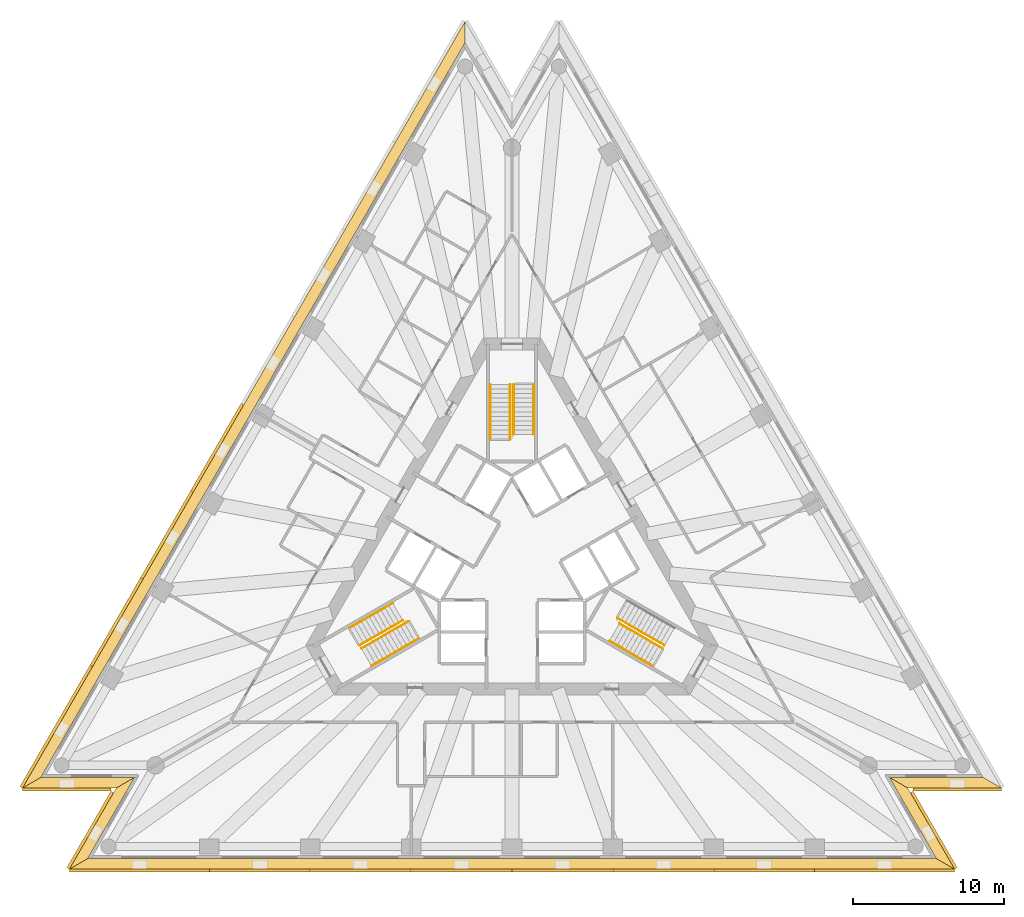
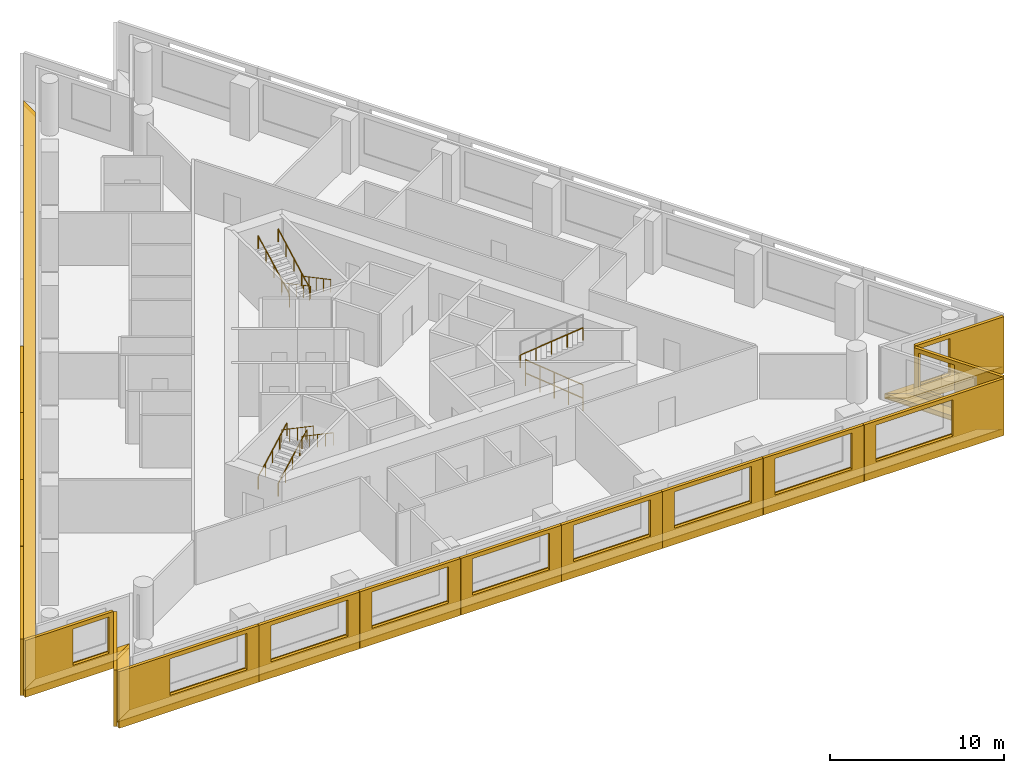
# One storey, part 8 of 9: 22 shading devices, 11 railings, 6 coverings, 3 elements without a shape of their own.
"""IFC4 building model written with IfcOpenShell, lengths in metres."""

from ifc_helpers import new_model, si_unit, direction, frame, origin, origin_2d, place, context, subcontext, project, spatial, polyline, circle, outline, extrude, material, layer, layer_set, layer_usage, type_object, element, aggregate, save


model = new_model("IFC4")

# Units and contexts
model_context = context("Model", 3, precision=1e-05, world=origin(), true_north=direction((0.0, 1.0)))
body_context = subcontext(model_context, "Body", "Model", "MODEL_VIEW")
ifc_project = project(units=[si_unit("LENGTHUNIT", "METRE"), si_unit("AREAUNIT", "SQUARE_METRE"), si_unit("VOLUMEUNIT", "CUBIC_METRE"), si_unit("PLANEANGLEUNIT", "RADIAN"), si_unit("MASSUNIT", "GRAM", prefix="KILO")], contexts=[model_context])

# Site, building, storey
site_placement = place(None, origin())
site = spatial("IfcSite", under=ifc_project, at=site_placement, CompositionType="ELEMENT")
building_placement = place(site_placement, origin())
building = spatial("IfcBuilding", under=site, at=building_placement, Name="Triada Interchange Tower", CompositionType="ELEMENT")
storey_placement = place(building_placement, frame((0.0, 0.0, 144.300048828125)))
storey = spatial("IfcBuildingStorey", under=building, at=storey_placement, Name="L33", CompositionType="ELEMENT", Elevation=144.300048828125)

# Coverings
ifc_material_1 = material(Name="Mineral fire-stop board")
ifc_layer_1 = layer(ifc_material_1, 0.0400390625, Name="Mineral fire-stop board")
ifc_material_2 = material(Name="Intumescent sealant")
ifc_layer_2 = layer(ifc_material_2, 0.010009765625, Name="Intumescent seal")
ifc_layer_set_1 = layer_set([ifc_layer_1, ifc_layer_2], Name="Cavity fire stop")
ifc_layer_usage = layer_usage(ifc_layer_set_1, "AXIS3", "POSITIVE", 0.0)
covering_type = type_object("IfcCoveringType", Name="Cavity fire stop", PredefinedType="INSULATION", material=ifc_layer_set_1)
covering_1_placement = place(storey_placement, origin())
element("IfcCovering", 1, at=covering_1_placement, inside=storey, type_object=covering_type, material=ifc_layer_usage, Name="Cavity fire stop L33 NW", PredefinedType="INSULATION", context=body_context, shape_type="SweptSolid", body=[
    extrude(outline(polyline([(-3.10791015625, 34.2939453125), (-3.10791015625, 35.694091796875), (-32.466064453125, -15.155029296875), (-31.25390625, -14.455078125), (-3.10791015625, 34.2939453125)])), origin(), (0.0, 0.0, 1.0), 0.050048828125),
])
covering_2_placement = place(storey_placement, origin())
element("IfcCovering", 2, at=covering_2_placement, inside=storey, type_object=covering_type, material=ifc_layer_usage, Name="Cavity fire stop L33 SW-1", PredefinedType="INSULATION", context=body_context, shape_type="SweptSolid", body=[
    extrude(outline(polyline([(-31.25390625, -14.455078125), (-32.466064453125, -15.155029296875), (-26.25, -15.155029296875), (-25.0380859375, -14.455078125), (-31.25390625, -14.455078125)])), origin(), (0.0, 0.0, 1.0), 0.050048828125),
])
covering_3_placement = place(storey_placement, origin())
element("IfcCovering", 3, at=covering_3_placement, inside=storey, type_object=covering_type, material=ifc_layer_usage, Name="Cavity fire stop L33 SW-2", PredefinedType="INSULATION", context=body_context, shape_type="SweptSolid", body=[
    extrude(outline(polyline([(-25.0380859375, -14.455078125), (-26.25, -15.155029296875), (-29.35791015625, -20.5390625), (-28.14599609375, -19.839111328125), (-25.0380859375, -14.455078125)])), origin(), (0.0, 0.0, 1.0), 0.050048828125),
])
covering_4_placement = place(storey_placement, origin())
element("IfcCovering", 4, at=covering_4_placement, inside=storey, type_object=covering_type, material=ifc_layer_usage, Name="Cavity fire stop L33 S", PredefinedType="INSULATION", context=body_context, shape_type="SweptSolid", body=[
    extrude(outline(polyline([(-28.14599609375, -19.839111328125), (-29.35791015625, -20.5390625), (29.35791015625, -20.5390625), (28.14599609375, -19.839111328125), (-28.14599609375, -19.839111328125)])), origin(), (0.0, 0.0, 1.0), 0.050048828125),
])
covering_5_placement = place(storey_placement, origin())
element("IfcCovering", 5, at=covering_5_placement, inside=storey, type_object=covering_type, material=ifc_layer_usage, Name="Cavity fire stop L33 SE-1", PredefinedType="INSULATION", context=body_context, shape_type="SweptSolid", body=[
    extrude(outline(polyline([(28.14599609375, -19.839111328125), (29.35791015625, -20.5390625), (26.25, -15.155029296875), (25.0380859375, -14.455078125), (28.14599609375, -19.839111328125)])), origin(), (0.0, 0.0, 1.0), 0.050048828125),
])
covering_6_placement = place(storey_placement, origin())
element("IfcCovering", 6, at=covering_6_placement, inside=storey, type_object=covering_type, material=ifc_layer_usage, Name="Cavity fire stop L33 SE-2", PredefinedType="INSULATION", context=body_context, shape_type="SweptSolid", body=[
    extrude(outline(polyline([(25.0380859375, -14.455078125), (26.25, -15.155029296875), (32.466064453125, -15.155029296875), (31.25390625, -14.455078125), (25.0380859375, -14.455078125)])), origin(), (0.0, 0.0, 1.0), 0.050048828125),
])

# Shading devices
ifc_material_3 = material(Name="Aluminium louvre", Category="aluminium")
shading_device_type_1 = type_object("IfcShadingDeviceType", Name="Cavity louvre grille", PredefinedType="JALOUSIE", material=ifc_material_3)
shading_device_1_placement = place(storey_placement, frame((0.0, 0.0, 0.050048828125)))
element("IfcShadingDevice", 7, at=shading_device_1_placement, inside=storey, type_object=shading_device_type_1, Name="Cavity louvre grille L33 NW", PredefinedType="JALOUSIE", context=body_context, shape_type="SweptSolid", body=[
    extrude(outline(polyline([(-3.10791015625, 34.2939453125), (-3.10791015625, 35.694091796875), (-32.466064453125, -15.155029296875), (-31.25390625, -14.455078125), (-3.10791015625, 34.2939453125)])), origin(), (0.0, 0.0, 1.0), 0.2998046875),
])
shading_device_2_placement = place(storey_placement, frame((0.0, 0.0, 0.050048828125)))
element("IfcShadingDevice", 8, at=shading_device_2_placement, inside=storey, type_object=shading_device_type_1, Name="Cavity louvre grille L33 SW-1", PredefinedType="JALOUSIE", context=body_context, shape_type="SweptSolid", body=[
    extrude(outline(polyline([(-31.25390625, -14.455078125), (-32.466064453125, -15.155029296875), (-26.25, -15.155029296875), (-25.0380859375, -14.455078125), (-31.25390625, -14.455078125)])), origin(), (0.0, 0.0, 1.0), 0.2998046875),
])
shading_device_3_placement = place(storey_placement, frame((0.0, 0.0, 0.050048828125)))
element("IfcShadingDevice", 9, at=shading_device_3_placement, inside=storey, type_object=shading_device_type_1, Name="Cavity louvre grille L33 SW-2", PredefinedType="JALOUSIE", context=body_context, shape_type="SweptSolid", body=[
    extrude(outline(polyline([(-25.0380859375, -14.455078125), (-26.25, -15.155029296875), (-29.35791015625, -20.5390625), (-28.14599609375, -19.839111328125), (-25.0380859375, -14.455078125)])), origin(), (0.0, 0.0, 1.0), 0.2998046875),
])
shading_device_4_placement = place(storey_placement, frame((0.0, 0.0, 0.050048828125)))
element("IfcShadingDevice", 10, at=shading_device_4_placement, inside=storey, type_object=shading_device_type_1, Name="Cavity louvre grille L33 S", PredefinedType="JALOUSIE", context=body_context, shape_type="SweptSolid", body=[
    extrude(outline(polyline([(-28.14599609375, -19.839111328125), (-29.35791015625, -20.5390625), (29.35791015625, -20.5390625), (28.14599609375, -19.839111328125), (-28.14599609375, -19.839111328125)])), origin(), (0.0, 0.0, 1.0), 0.2998046875),
])
shading_device_5_placement = place(storey_placement, frame((0.0, 0.0, 0.050048828125)))
element("IfcShadingDevice", 11, at=shading_device_5_placement, inside=storey, type_object=shading_device_type_1, Name="Cavity louvre grille L33 SE-1", PredefinedType="JALOUSIE", context=body_context, shape_type="SweptSolid", body=[
    extrude(outline(polyline([(28.14599609375, -19.839111328125), (29.35791015625, -20.5390625), (26.25, -15.155029296875), (25.0380859375, -14.455078125), (28.14599609375, -19.839111328125)])), origin(), (0.0, 0.0, 1.0), 0.2998046875),
])
shading_device_6_placement = place(storey_placement, frame((0.0, 0.0, 0.050048828125)))
element("IfcShadingDevice", 12, at=shading_device_6_placement, inside=storey, type_object=shading_device_type_1, Name="Cavity louvre grille L33 SE-2", PredefinedType="JALOUSIE", context=body_context, shape_type="SweptSolid", body=[
    extrude(outline(polyline([(25.0380859375, -14.455078125), (26.25, -15.155029296875), (32.466064453125, -15.155029296875), (31.25390625, -14.455078125), (25.0380859375, -14.455078125)])), origin(), (0.0, 0.0, 1.0), 0.2998046875),
])
ifc_material_4 = material(Name="Concrete C50/60 precast", Category="concrete")
ifc_layer_3 = layer(ifc_material_4, 0.02001953125, Name="Exposed aggregate face")
ifc_layer_4 = layer(ifc_material_4, 0.179931640625, Name="Precast concrete screen")
ifc_layer_set_2 = layer_set([ifc_layer_3, ifc_layer_4], Name="Outer skin screen panel 3980")
shading_device_type_2 = type_object("IfcShadingDeviceType", Name="Outer skin screen panel 3980", PredefinedType="SHUTTER", material=ifc_layer_set_2)
shading_device_7_placement = place(storey_placement, frame((-17.7919921875, 10.260986328125, -0.2900390625), z_axis=(0.0, 0.0, 1.0), x_axis=(-0.500028753158, -0.866008802504, 0.0)))
element("IfcShadingDevice", 13, at=shading_device_7_placement, inside=storey, type_object=shading_device_type_2, Name="Outer skin screen panel L33 05", PredefinedType="SHUTTER", context=body_context, shape_type="SweptSolid", body=[
    extrude(outline(polyline([(0.0, 0.0), (6.66943359375, 0.0), (6.66943359375, 3.97998046875), (0.0, 3.97998046875), (0.0, 0.0)]), holes=[polyline([(0.784912109375, 1.139892578125), (0.784912109375, 3.68994140625), (5.884765625, 3.68994140625), (5.884765625, 1.139892578125), (0.784912109375, 1.139892578125)])]), frame((0.0, 0.0, 0.0), z_axis=(0.0, -1.0, 0.0), x_axis=(1.0, 0.0, 0.0)), (0.0, 0.0, 1.0), 0.199951171875),
])
shading_device_8_placement = place(storey_placement, frame((-21.136962890625, 4.467041015625, -0.2900390625), z_axis=(0.0, 0.0, 1.0), x_axis=(-0.500012902398, -0.866017954453, 0.0)))
element("IfcShadingDevice", 14, at=shading_device_8_placement, inside=storey, type_object=shading_device_type_2, Name="Outer skin screen panel L33 06", PredefinedType="SHUTTER", context=body_context, shape_type="SweptSolid", body=[
    extrude(outline(polyline([(0.0, 0.0), (6.669677734375, 0.0), (6.669677734375, 3.97998046875), (0.0, 3.97998046875), (0.0, 0.0)]), holes=[polyline([(0.784912109375, 1.139892578125), (0.784912109375, 3.68994140625), (5.885009765625, 3.68994140625), (5.885009765625, 1.139892578125), (0.784912109375, 1.139892578125)])]), frame((0.0, 0.0, 0.0), z_axis=(0.0, -1.0, 0.0), x_axis=(1.0, 0.0, 0.0)), (0.0, 0.0, 1.0), 0.199951171875),
])
shading_device_9_placement = place(storey_placement, frame((-24.48193359375, -1.325927734375, -0.2900390625), z_axis=(0.0, 0.0, 1.0), x_axis=(-0.499949507731, -0.866054553547, 0.0)))
element("IfcShadingDevice", 15, at=shading_device_9_placement, inside=storey, type_object=shading_device_type_2, Name="Outer skin screen panel L33 07", PredefinedType="SHUTTER", context=body_context, shape_type="SweptSolid", body=[
    extrude(outline(polyline([(0.0, 0.0), (6.670654296875, 0.0), (6.670654296875, 3.97998046875), (0.0, 3.97998046875), (0.0, 0.0)]), holes=[polyline([(0.784912109375, 1.139892578125), (0.784912109375, 3.68994140625), (5.885009765625, 3.68994140625), (5.885009765625, 1.139892578125), (0.784912109375, 1.139892578125)])]), frame((0.0, 0.0, 0.0), z_axis=(0.0, -1.0, 0.0), x_axis=(1.0, 0.0, 0.0)), (0.0, 0.0, 1.0), 0.199951171875),
])
shading_device_10_placement = place(storey_placement, frame((-27.826904296875, -7.1201171875, -0.2900390625), z_axis=(0.0, 0.0, 1.0), x_axis=(-0.500023456952, -0.866011860483, 0.0)))
element("IfcShadingDevice", 16, at=shading_device_10_placement, inside=storey, type_object=shading_device_type_2, Name="Outer skin screen panel L33 08", PredefinedType="SHUTTER", context=body_context, shape_type="SweptSolid", body=[
    extrude(outline(polyline([(0.0, 0.0), (9.267578125, 0.0), (9.267578125, 3.97998046875), (0.0, 3.97998046875), (0.0, 0.0)]), holes=[polyline([(0.784912109375, 1.139892578125), (0.784912109375, 3.68994140625), (5.885009765625, 3.68994140625), (5.885009765625, 1.139892578125), (0.784912109375, 1.139892578125)])]), frame((0.0, 0.0, 0.0), z_axis=(0.0, -1.0, 0.0), x_axis=(1.0, 0.0, 0.0)), (0.0, 0.0, 1.0), 0.199951171875),
])
shading_device_11_placement = place(storey_placement, frame((-32.4560546875, -15.155029296875, -0.2900390625), z_axis=(0.0, 0.0, 1.0), x_axis=(1.0, 0.0, 0.0)))
element("IfcShadingDevice", 17, at=shading_device_11_placement, inside=storey, type_object=shading_device_type_2, Name="Outer skin screen panel L33 09", PredefinedType="SHUTTER", context=body_context, shape_type="SweptSolid", body=[
    extrude(outline(polyline([(0.0, 0.0), (5.84912109375, 0.0), (5.84912109375, 3.97998046875), (0.0, 3.97998046875), (0.0, 0.0)]), holes=[polyline([(3.175048828125, 1.139892578125), (3.175048828125, 3.68994140625), (5.549072265625, 3.68994140625), (5.549072265625, 1.139892578125), (3.175048828125, 1.139892578125)])]), frame((0.0, 0.0, 0.0), z_axis=(0.0, -1.0, 0.0), x_axis=(1.0, 0.0, 0.0)), (0.0, 0.0, 1.0), 0.199951171875),
])
shading_device_12_placement = place(storey_placement, frame((-26.427978515625, -15.464111328125, -0.2900390625), z_axis=(0.0, 0.0, 1.0), x_axis=(-0.500030735058, -0.866007658163, 0.0)))
element("IfcShadingDevice", 18, at=shading_device_12_placement, inside=storey, type_object=shading_device_type_2, Name="Outer skin screen panel L33 10", PredefinedType="SHUTTER", context=body_context, shape_type="SweptSolid", body=[
    extrude(outline(polyline([(0.0, 0.0), (5.849853515625, 0.0), (5.849853515625, 3.97998046875), (0.0, 3.97998046875), (0.0, 0.0)]), holes=[polyline([(0.300048828125, 1.139892578125), (0.300048828125, 3.68994140625), (2.258056640625, 3.68994140625), (2.258056640625, 1.139892578125), (0.300048828125, 1.139892578125)])]), frame((0.0, 0.0, 0.0), z_axis=(0.0, -1.0, 0.0), x_axis=(1.0, 0.0, 0.0)), (0.0, 0.0, 1.0), 0.199951171875),
])
shading_device_13_placement = place(storey_placement, frame((-29.347900390625, -20.5390625, -0.2900390625), z_axis=(0.0, 0.0, 1.0), x_axis=(1.0, 0.0, 0.0)))
element("IfcShadingDevice", 19, at=shading_device_13_placement, inside=storey, type_object=shading_device_type_2, Name="Outer skin screen panel L33 11", PredefinedType="SHUTTER", context=body_context, shape_type="SweptSolid", body=[
    extrude(outline(polyline([(0.0, 0.0), (9.267822265625, 0.0), (9.267822265625, 3.97998046875), (0.0, 3.97998046875), (0.0, 0.0)]), holes=[polyline([(3.383056640625, 1.139892578125), (3.383056640625, 3.68994140625), (8.48291015625, 3.68994140625), (8.48291015625, 1.139892578125), (3.383056640625, 1.139892578125)])]), frame((0.0, 0.0, 0.0), z_axis=(0.0, -1.0, 0.0), x_axis=(1.0, 0.0, 0.0)), (0.0, 0.0, 1.0), 0.199951171875),
])
for number, where, z_axis, x_axis, name in (
    (20, (-20.06005859375, -20.5390625, -0.2900390625), (0.0, 0.0, 1.0), (1.0, 0.0, 0.0), "Outer skin screen panel L33 12"),
    (21, (-13.3701171875, -20.5390625, -0.2900390625), (0.0, 0.0, 1.0), (1.0, 0.0, 0.0), "Outer skin screen panel L33 13"),
):
    element("IfcShadingDevice", number, at=place(storey_placement, frame(where, z_axis=z_axis, x_axis=x_axis)), inside=storey, type_object=shading_device_type_2, Name=name, PredefinedType="SHUTTER", context=body_context, shape_type="SweptSolid", body=[
        extrude(outline(polyline([(0.0, 0.0), (6.670166015625, 0.0), (6.670166015625, 3.97998046875), (0.0, 3.97998046875), (0.0, 0.0)]), holes=[polyline([(0.784912109375, 1.139892578125), (0.784912109375, 3.68994140625), (5.885009765625, 3.68994140625), (5.885009765625, 1.139892578125), (0.784912109375, 1.139892578125)])]), frame((0.0, 0.0, 0.0), z_axis=(0.0, -1.0, 0.0), x_axis=(1.0, 0.0, 0.0)), (0.0, 0.0, 1.0), 0.199951171875),
    ])
for number, where, z_axis, x_axis, name in (
    (22, (-6.679931640625, -20.5390625, -0.2900390625), (0.0, 0.0, 1.0), (1.0, 0.0, 0.0), "Outer skin screen panel L33 14"),
    (23, (0.010009765625, -20.5390625, -0.2900390625), (0.0, 0.0, 1.0), (1.0, 0.0, 0.0), "Outer skin screen panel L33 15"),
):
    element("IfcShadingDevice", number, at=place(storey_placement, frame(where, z_axis=z_axis, x_axis=x_axis)), inside=storey, type_object=shading_device_type_2, Name=name, PredefinedType="SHUTTER", context=body_context, shape_type="SweptSolid", body=[
        extrude(outline(polyline([(0.0, 0.0), (6.669921875, 0.0), (6.669921875, 3.97998046875), (0.0, 3.97998046875), (0.0, 0.0)]), holes=[polyline([(0.784912109375, 1.139892578125), (0.784912109375, 3.68994140625), (5.885009765625, 3.68994140625), (5.885009765625, 1.139892578125), (0.784912109375, 1.139892578125)])]), frame((0.0, 0.0, 0.0), z_axis=(0.0, -1.0, 0.0), x_axis=(1.0, 0.0, 0.0)), (0.0, 0.0, 1.0), 0.199951171875),
    ])
for number, where, z_axis, x_axis, name in (
    (24, (6.699951171875, -20.5390625, -0.2900390625), (0.0, 0.0, 1.0), (1.0, 0.0, 0.0), "Outer skin screen panel L33 16"),
    (25, (13.389892578125, -20.5390625, -0.2900390625), (0.0, 0.0, 1.0), (1.0, 0.0, 0.0), "Outer skin screen panel L33 17"),
):
    element("IfcShadingDevice", number, at=place(storey_placement, frame(where, z_axis=z_axis, x_axis=x_axis)), inside=storey, type_object=shading_device_type_2, Name=name, PredefinedType="SHUTTER", context=body_context, shape_type="SweptSolid", body=[
        extrude(outline(polyline([(0.0, 0.0), (6.670166015625, 0.0), (6.670166015625, 3.97998046875), (0.0, 3.97998046875), (0.0, 0.0)]), holes=[polyline([(0.784912109375, 1.139892578125), (0.784912109375, 3.68994140625), (5.885009765625, 3.68994140625), (5.885009765625, 1.139892578125), (0.784912109375, 1.139892578125)])]), frame((0.0, 0.0, 0.0), z_axis=(0.0, -1.0, 0.0), x_axis=(1.0, 0.0, 0.0)), (0.0, 0.0, 1.0), 0.199951171875),
    ])
shading_device_14_placement = place(storey_placement, frame((20.080078125, -20.5390625, -0.2900390625), z_axis=(0.0, 0.0, 1.0), x_axis=(1.0, 0.0, 0.0)))
element("IfcShadingDevice", 26, at=shading_device_14_placement, inside=storey, type_object=shading_device_type_2, Name="Outer skin screen panel L33 18", PredefinedType="SHUTTER", context=body_context, shape_type="SweptSolid", body=[
    extrude(outline(polyline([(0.0, 0.0), (9.267822265625, 0.0), (9.267822265625, 3.97998046875), (0.0, 3.97998046875), (0.0, 0.0)]), holes=[polyline([(0.784912109375, 1.139892578125), (0.784912109375, 3.68994140625), (5.885009765625, 3.68994140625), (5.885009765625, 1.139892578125), (0.784912109375, 1.139892578125)])]), frame((0.0, 0.0, 0.0), z_axis=(0.0, -1.0, 0.0), x_axis=(1.0, 0.0, 0.0)), (0.0, 0.0, 1.0), 0.199951171875),
])
shading_device_15_placement = place(storey_placement, frame((29.35302734375, -20.530029296875, -0.2900390625), z_axis=(0.0, 0.0, 1.0), x_axis=(-0.500030735058, 0.866007658163, 0.0)))
element("IfcShadingDevice", 27, at=shading_device_15_placement, inside=storey, type_object=shading_device_type_2, Name="Outer skin screen panel L33 19", PredefinedType="SHUTTER", context=body_context, shape_type="SweptSolid", body=[
    extrude(outline(polyline([(0.0, 0.0), (5.849853515625, 0.0), (5.849853515625, 3.97998046875), (0.0, 3.97998046875), (0.0, 0.0)]), holes=[polyline([(3.17529296875, 1.139892578125), (3.17529296875, 3.68994140625), (5.550048828125, 3.68994140625), (5.550048828125, 1.139892578125), (3.17529296875, 1.139892578125)])]), frame((0.0, 0.0, 0.0), z_axis=(0.0, -1.0, 0.0), x_axis=(1.0, 0.0, 0.0)), (0.0, 0.0, 1.0), 0.199951171875),
])
shading_device_16_placement = place(storey_placement, frame((26.60693359375, -15.155029296875, -0.2900390625), z_axis=(0.0, 0.0, 1.0), x_axis=(1.0, 0.0, 0.0)))
element("IfcShadingDevice", 28, at=shading_device_16_placement, inside=storey, type_object=shading_device_type_2, Name="Outer skin screen panel L33 20", PredefinedType="SHUTTER", context=body_context, shape_type="SweptSolid", body=[
    extrude(outline(polyline([(0.0, 0.0), (5.84912109375, 0.0), (5.84912109375, 3.97998046875), (0.0, 3.97998046875), (0.0, 0.0)]), holes=[polyline([(0.300048828125, 1.139892578125), (0.300048828125, 3.68994140625), (2.258056640625, 3.68994140625), (2.258056640625, 1.139892578125), (0.300048828125, 1.139892578125)])]), frame((0.0, 0.0, 0.0), z_axis=(0.0, -1.0, 0.0), x_axis=(1.0, 0.0, 0.0)), (0.0, 0.0, 1.0), 0.199951171875),
])

# Stair, railings
ifc_material_5 = material(Name="Concrete C35/45", Category="concrete")
stair_type = type_object("IfcStairType", Name="HALF TURN STAIR 1400", PredefinedType="HALF_TURN_STAIR", material=ifc_material_5)
stair_1_placement = place(storey_placement, origin())
stair_1 = element("IfcStair", 29, at=stair_1_placement, inside=storey, type_object=stair_type, Name="Exit stair S32-1", PredefinedType="HALF_TURN_STAIR")
ifc_material_6 = material(Name="Stainless steel 1.4301", Category="steel")
railing_type = type_object("IfcRailingType", Name="STAIR HANDRAIL 900", PredefinedType="HANDRAIL", material=ifc_material_6)
railing_1_placement = place(storey_placement, frame((1.449951171875, 11.60009765625, 0.159912109375)))
railing_1 = element("IfcRailing", 30, at=railing_1_placement, type_object=railing_type, Name="Handrail S32-1 1W", PredefinedType="HANDRAIL", context=body_context, shape_type="SweptSolid", body=[
    extrude(circle(Radius=0.02392578125, at=origin_2d()), frame((0.0, 0.0, 0.8759765625), z_axis=(0.0, -0.882354748157, 0.47058484719), x_axis=(1.0, 0.0, 0.0)), (0.0, 0.0, 1.0), 3.739990234375),
    extrude(circle(Radius=0.02099609375, at=origin_2d()), origin(), (0.0, 0.0, 1.0), 0.851806640625),
    extrude(circle(Radius=0.02099609375, at=origin_2d()), frame((0.0, -0.824951171875, 0.43994140625)), (0.0, 0.0, 1.0), 0.851806640625),
    extrude(circle(Radius=0.02099609375, at=origin_2d()), frame((0.0, -1.64990234375, 0.8798828125)), (0.0, 0.0, 1.0), 0.851806640625),
    extrude(circle(Radius=0.02099609375, at=origin_2d()), frame((0.0, -2.47509765625, 1.320068359375)), (0.0, 0.0, 1.0), 0.851806640625),
    extrude(circle(Radius=0.02099609375, at=origin_2d()), frame((0.0, -3.300048828125, 1.760009765625)), (0.0, 0.0, 1.0), 0.851806640625),
])
railing_2_placement = place(storey_placement, frame((0.1201171875, 11.60009765625, 0.159912109375)))
railing_2 = element("IfcRailing", 31, at=railing_2_placement, type_object=railing_type, Name="Handrail S32-1 1C", PredefinedType="HANDRAIL", context=body_context, shape_type="SweptSolid", body=[
    extrude(circle(Radius=0.02392578125, at=origin_2d()), frame((0.0, 0.0, 0.8759765625), z_axis=(0.0, -0.882354748157, 0.47058484719), x_axis=(1.0, 0.0, 0.0)), (0.0, 0.0, 1.0), 3.739990234375),
    extrude(circle(Radius=0.02099609375, at=origin_2d()), origin(), (0.0, 0.0, 1.0), 0.851806640625),
    extrude(circle(Radius=0.02099609375, at=origin_2d()), frame((0.0, -0.824951171875, 0.43994140625)), (0.0, 0.0, 1.0), 0.851806640625),
    extrude(circle(Radius=0.02099609375, at=origin_2d()), frame((0.0, -1.64990234375, 0.8798828125)), (0.0, 0.0, 1.0), 0.851806640625),
    extrude(circle(Radius=0.02099609375, at=origin_2d()), frame((0.0, -2.47509765625, 1.320068359375)), (0.0, 0.0, 1.0), 0.851806640625),
    extrude(circle(Radius=0.02099609375, at=origin_2d()), frame((0.0, -3.300048828125, 1.760009765625)), (0.0, 0.0, 1.0), 0.851806640625),
])
railing_3_placement = place(storey_placement, frame((-1.449951171875, 8.0, 2.079833984375)))
railing_3 = element("IfcRailing", 32, at=railing_3_placement, type_object=railing_type, Name="Handrail S32-1 2W", PredefinedType="HANDRAIL", context=body_context, shape_type="SweptSolid", body=[
    extrude(circle(Radius=0.02392578125, at=origin_2d()), frame((0.0, 0.0, 0.8759765625), z_axis=(0.0, 0.882341346394, 0.470609974867), x_axis=(-1.0, 0.0, 0.0)), (0.0, 0.0, 1.0), 4.080078125),
    extrude(circle(Radius=0.02099609375, at=origin_2d()), origin(), (0.0, 0.0, 1.0), 0.851806640625),
    extrude(circle(Radius=0.02099609375, at=origin_2d()), frame((0.0, 0.89990234375, 0.47998046875)), (0.0, 0.0, 1.0), 0.851806640625),
    extrude(circle(Radius=0.02099609375, at=origin_2d()), frame((0.0, 1.800048828125, 0.9599609375)), (0.0, 0.0, 1.0), 0.851806640625),
    extrude(circle(Radius=0.02099609375, at=origin_2d()), frame((0.0, 2.7001953125, 1.440185546875)), (0.0, 0.0, 1.0), 0.851806640625),
    extrude(circle(Radius=0.02099609375, at=origin_2d()), frame((0.0, 3.60009765625, 1.920166015625)), (0.0, 0.0, 1.0), 0.851806640625),
])
railing_4_placement = place(storey_placement, frame((-0.1201171875, 8.0, 2.079833984375)))
railing_4 = element("IfcRailing", 33, at=railing_4_placement, type_object=railing_type, Name="Handrail S32-1 2C", PredefinedType="HANDRAIL", context=body_context, shape_type="SweptSolid", body=[
    extrude(circle(Radius=0.02392578125, at=origin_2d()), frame((0.0, 0.0, 0.8759765625), z_axis=(0.0, 0.882341346394, 0.470609974867), x_axis=(-1.0, 0.0, 0.0)), (0.0, 0.0, 1.0), 4.080078125),
    extrude(circle(Radius=0.02099609375, at=origin_2d()), origin(), (0.0, 0.0, 1.0), 0.851806640625),
    extrude(circle(Radius=0.02099609375, at=origin_2d()), frame((0.0, 0.89990234375, 0.47998046875)), (0.0, 0.0, 1.0), 0.851806640625),
    extrude(circle(Radius=0.02099609375, at=origin_2d()), frame((0.0, 1.800048828125, 0.9599609375)), (0.0, 0.0, 1.0), 0.851806640625),
    extrude(circle(Radius=0.02099609375, at=origin_2d()), frame((0.0, 2.7001953125, 1.440185546875)), (0.0, 0.0, 1.0), 0.851806640625),
    extrude(circle(Radius=0.02099609375, at=origin_2d()), frame((0.0, 3.60009765625, 1.920166015625)), (0.0, 0.0, 1.0), 0.851806640625),
])
aggregate(stair_1, [railing_1, railing_2, railing_3, railing_4])

stair_2_placement = place(storey_placement, origin())
stair_2 = element("IfcStair", 34, at=stair_2_placement, inside=storey, type_object=stair_type, Name="Exit stair S32-2", PredefinedType="HALF_TURN_STAIR")
railing_5_placement = place(storey_placement, frame((-10.77099609375, -4.5439453125, 0.159912109375)))
railing_5 = element("IfcRailing", 35, at=railing_5_placement, type_object=railing_type, Name="Handrail S32-2 1W", PredefinedType="HANDRAIL", context=body_context, shape_type="SweptSolid", body=[
    extrude(circle(Radius=0.02392578125, at=origin_2d()), frame((0.0, 0.0, 0.8759765625), z_axis=(0.764150854273, 0.441152526326, 0.470593158077), x_axis=(-0.499974350878, 0.866040211805, 0.0)), (0.0, 0.0, 1.0), 3.739990234375),
    extrude(circle(Radius=0.02099609375, at=origin_2d()), origin(), (0.0, 0.0, 1.0), 0.851806640625),
    extrude(circle(Radius=0.02099609375, at=origin_2d()), frame((0.71435546875, 0.41259765625, 0.43994140625)), (0.0, 0.0, 1.0), 0.851806640625),
    extrude(circle(Radius=0.02099609375, at=origin_2d()), frame((1.428955078125, 0.824951171875, 0.8798828125)), (0.0, 0.0, 1.0), 0.851806640625),
    extrude(circle(Radius=0.02099609375, at=origin_2d()), frame((2.1435546875, 1.2373046875, 1.320068359375)), (0.0, 0.0, 1.0), 0.851806640625),
    extrude(circle(Radius=0.02099609375, at=origin_2d()), frame((2.85791015625, 1.64990234375, 1.760009765625)), (0.0, 0.0, 1.0), 0.851806640625),
])
railing_6_placement = place(storey_placement, frame((-10.10595703125, -5.696044921875, 0.159912109375)))
railing_6 = element("IfcRailing", 36, at=railing_6_placement, type_object=railing_type, Name="Handrail S32-2 1C", PredefinedType="HANDRAIL", context=body_context, shape_type="SweptSolid", body=[
    extrude(circle(Radius=0.02392578125, at=origin_2d()), frame((0.0, 0.0, 0.8759765625), z_axis=(0.76412884773, 0.441205098395, 0.470579605611), x_axis=(-0.50002983664, 0.866008176907, 0.0)), (0.0, 0.0, 1.0), 3.739990234375),
    extrude(circle(Radius=0.02099609375, at=origin_2d()), origin(), (0.0, 0.0, 1.0), 0.851806640625),
    extrude(circle(Radius=0.02099609375, at=origin_2d()), frame((0.71435546875, 0.41259765625, 0.43994140625)), (0.0, 0.0, 1.0), 0.851806640625),
    extrude(circle(Radius=0.02099609375, at=origin_2d()), frame((1.428955078125, 0.8251953125, 0.8798828125)), (0.0, 0.0, 1.0), 0.851806640625),
    extrude(circle(Radius=0.02099609375, at=origin_2d()), frame((2.1435546875, 1.237548828125, 1.320068359375)), (0.0, 0.0, 1.0), 0.851806640625),
    extrude(circle(Radius=0.02099609375, at=origin_2d()), frame((2.85791015625, 1.650146484375, 1.760009765625)), (0.0, 0.0, 1.0), 0.851806640625),
])
railing_7_placement = place(storey_placement, frame((-6.202880859375, -5.256103515625, 2.079833984375)))
railing_7 = element("IfcRailing", 37, at=railing_7_placement, type_object=railing_type, Name="Handrail S32-2 2W", PredefinedType="HANDRAIL", context=body_context, shape_type="SweptSolid", body=[
    extrude(circle(Radius=0.02392578125, at=origin_2d()), frame((0.0, 0.0, 0.8759765625), z_axis=(-0.764189758314, -0.441090424232, 0.470588196769), x_axis=(0.499902469156, -0.866081705922, 0.0)), (0.0, 0.0, 1.0), 4.080322265625),
    extrude(circle(Radius=0.02099609375, at=origin_2d()), origin(), (0.0, 0.0, 1.0), 0.851806640625),
    extrude(circle(Radius=0.02099609375, at=origin_2d()), frame((-0.779541015625, -0.449951171875, 0.47998046875)), (0.0, 0.0, 1.0), 0.851806640625),
    extrude(circle(Radius=0.02099609375, at=origin_2d()), frame((-1.55908203125, -0.89990234375, 0.9599609375)), (0.0, 0.0, 1.0), 0.851806640625),
    extrude(circle(Radius=0.02099609375, at=origin_2d()), frame((-2.338623046875, -1.349853515625, 1.440185546875)), (0.0, 0.0, 1.0), 0.851806640625),
    extrude(circle(Radius=0.02099609375, at=origin_2d()), frame((-3.1181640625, -1.7998046875, 1.920166015625)), (0.0, 0.0, 1.0), 0.851806640625),
])
railing_8_placement = place(storey_placement, frame((-6.867919921875, -4.10400390625, 2.079833984375)))
railing_8 = element("IfcRailing", 38, at=railing_8_placement, type_object=railing_type, Name="Handrail S32-2 2C", PredefinedType="HANDRAIL", context=body_context, shape_type="SweptSolid", body=[
    extrude(circle(Radius=0.02392578125, at=origin_2d()), frame((0.0, 0.0, 0.8759765625), z_axis=(-0.764169589359, -0.441138614339, 0.470575776723), x_axis=(0.49995333141, -0.866052346231, 0.0)), (0.0, 0.0, 1.0), 4.08056640625),
    extrude(circle(Radius=0.02099609375, at=origin_2d()), origin(), (0.0, 0.0, 1.0), 0.851806640625),
    extrude(circle(Radius=0.02099609375, at=origin_2d()), frame((-0.779541015625, -0.449951171875, 0.47998046875)), (0.0, 0.0, 1.0), 0.851806640625),
    extrude(circle(Radius=0.02099609375, at=origin_2d()), frame((-1.55908203125, -0.89990234375, 0.9599609375)), (0.0, 0.0, 1.0), 0.851806640625),
    extrude(circle(Radius=0.02099609375, at=origin_2d()), frame((-2.338623046875, -1.35009765625, 1.440185546875)), (0.0, 0.0, 1.0), 0.851806640625),
    extrude(circle(Radius=0.02099609375, at=origin_2d()), frame((-3.1181640625, -1.800048828125, 1.920166015625)), (0.0, 0.0, 1.0), 0.851806640625),
])
aggregate(stair_2, [railing_5, railing_6, railing_7, railing_8])

stair_3_placement = place(storey_placement, origin())
stair_3 = element("IfcStair", 39, at=stair_3_placement, inside=storey, type_object=stair_type, Name="Exit stair S32-3", PredefinedType="HALF_TURN_STAIR")
railing_9_placement = place(storey_placement, frame((9.321044921875, -7.055908203125, 0.159912109375)))
railing_9 = element("IfcRailing", 40, at=railing_9_placement, type_object=railing_type, Name="Handrail S32-3 1W", PredefinedType="HANDRAIL", context=body_context, shape_type="SweptSolid", body=[
    extrude(circle(Radius=0.02392578125, at=origin_2d()), frame((0.0, 0.0, 0.8759765625), z_axis=(-0.764178012919, 0.441130521168, 0.470569684388), x_axis=(-0.499942318283, -0.866058703778, 0.0)), (0.0, 0.0, 1.0), 3.740234375),
    extrude(circle(Radius=0.02099609375, at=origin_2d()), origin(), (0.0, 0.0, 1.0), 0.851806640625),
    extrude(circle(Radius=0.02099609375, at=origin_2d()), frame((-0.714599609375, 0.41259765625, 0.43994140625)), (0.0, 0.0, 1.0), 0.851806640625),
    extrude(circle(Radius=0.02099609375, at=origin_2d()), frame((-1.42919921875, 0.824951171875, 0.8798828125)), (0.0, 0.0, 1.0), 0.851806640625),
    extrude(circle(Radius=0.02099609375, at=origin_2d()), frame((-2.1435546875, 1.2373046875, 1.320068359375)), (0.0, 0.0, 1.0), 0.851806640625),
    extrude(circle(Radius=0.02099609375, at=origin_2d()), frame((-2.858154296875, 1.64990234375, 1.760009765625)), (0.0, 0.0, 1.0), 0.851806640625),
])
railing_10_placement = place(storey_placement, frame((9.986083984375, -5.904052734375, 0.159912109375)))
railing_10 = element("IfcRailing", 41, at=railing_10_placement, type_object=railing_type, Name="Handrail S32-3 1C", PredefinedType="HANDRAIL", context=body_context, shape_type="SweptSolid", body=[
    extrude(circle(Radius=0.02392578125, at=origin_2d()), frame((0.0, 0.0, 0.8759765625), z_axis=(-0.764156007789, 0.441183091881, 0.47055613395), x_axis=(-0.49999780286, -0.8660266723, 0.0)), (0.0, 0.0, 1.0), 3.740234375),
    extrude(circle(Radius=0.02099609375, at=origin_2d()), origin(), (0.0, 0.0, 1.0), 0.851806640625),
    extrude(circle(Radius=0.02099609375, at=origin_2d()), frame((-0.714599609375, 0.41259765625, 0.43994140625)), (0.0, 0.0, 1.0), 0.851806640625),
    extrude(circle(Radius=0.02099609375, at=origin_2d()), frame((-1.42919921875, 0.8251953125, 0.8798828125)), (0.0, 0.0, 1.0), 0.851806640625),
    extrude(circle(Radius=0.02099609375, at=origin_2d()), frame((-2.1435546875, 1.237548828125, 1.320068359375)), (0.0, 0.0, 1.0), 0.851806640625),
    extrude(circle(Radius=0.02099609375, at=origin_2d()), frame((-2.858154296875, 1.650146484375, 1.760009765625)), (0.0, 0.0, 1.0), 0.851806640625),
])
railing_11_placement = place(storey_placement, frame((6.988037109375, -3.89599609375, 2.079833984375)))
railing_11 = element("IfcRailing", 42, at=railing_11_placement, type_object=railing_type, Name="Handrail S32-3 2C", PredefinedType="HANDRAIL", context=body_context, shape_type="SweptSolid", body=[
    extrude(circle(Radius=0.02392578125, at=origin_2d()), frame((0.0, 0.0, 0.8759765625), z_axis=(0.76414469501, -0.441158784458, 0.470597292793), x_axis=(0.499982693035, 0.866035395735, 0.0)), (0.0, 0.0, 1.0), 4.080322265625),
    extrude(circle(Radius=0.02099609375, at=origin_2d()), origin(), (0.0, 0.0, 1.0), 0.851806640625),
    extrude(circle(Radius=0.02099609375, at=origin_2d()), frame((0.779541015625, -0.449951171875, 0.47998046875)), (0.0, 0.0, 1.0), 0.851806640625),
    extrude(circle(Radius=0.02099609375, at=origin_2d()), frame((1.55908203125, -0.89990234375, 0.9599609375)), (0.0, 0.0, 1.0), 0.851806640625),
    extrude(circle(Radius=0.02099609375, at=origin_2d()), frame((2.33837890625, -1.35009765625, 1.440185546875)), (0.0, 0.0, 1.0), 0.851806640625),
    extrude(circle(Radius=0.02099609375, at=origin_2d()), frame((3.117919921875, -1.800048828125, 1.920166015625)), (0.0, 0.0, 1.0), 0.851806640625),
])
aggregate(stair_3, [railing_9, railing_10, railing_11])

save(model, "model.ifc")
